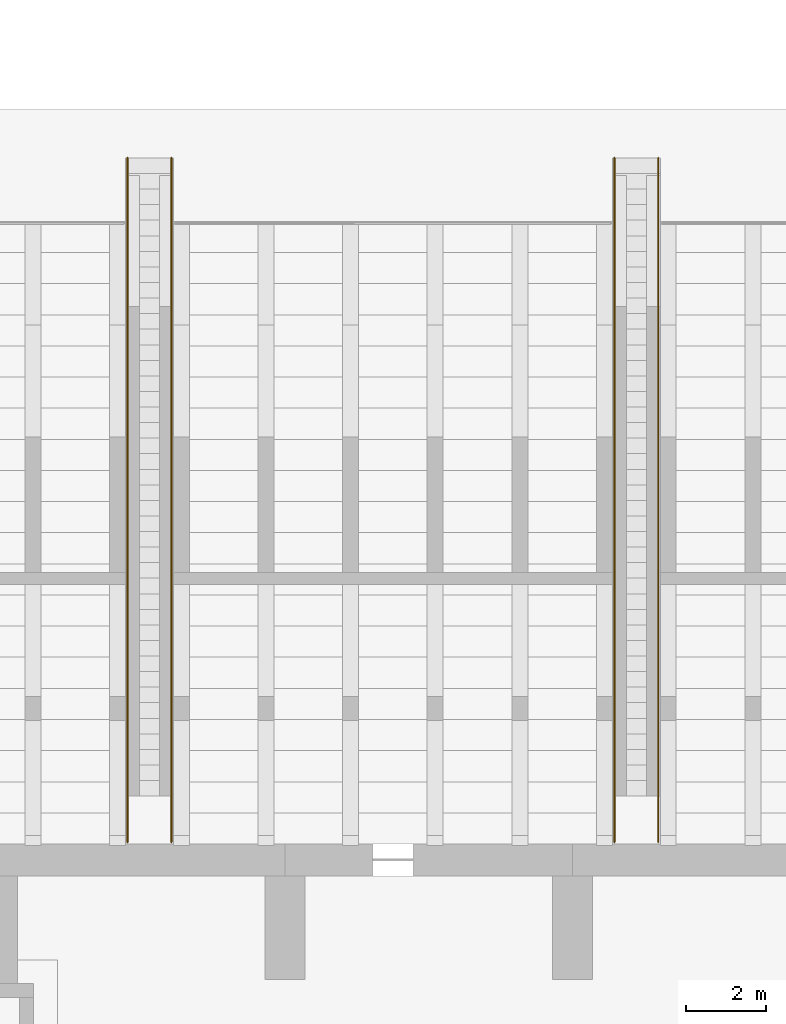
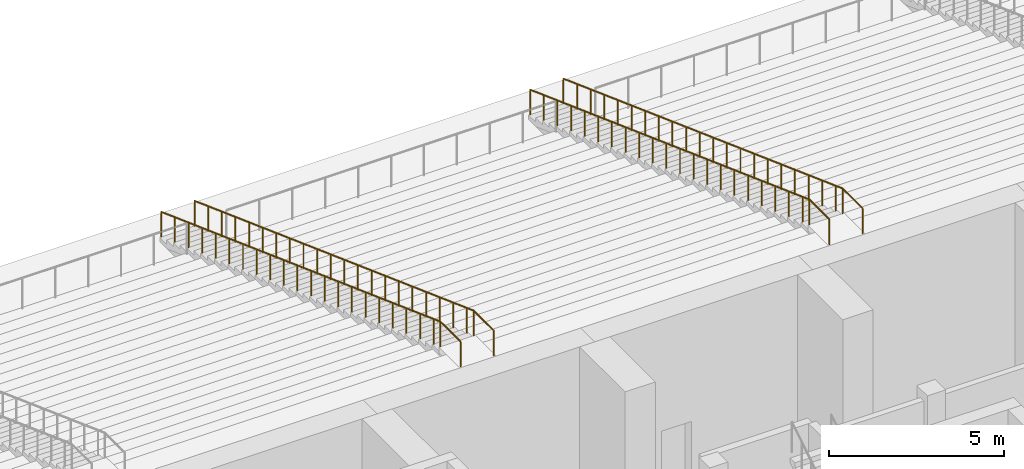
# One storey, part 61 of 70: 4 railings.
"""IFC4 building model written with IfcOpenShell, lengths in metres."""

from ifc_helpers import new_model, si_unit, direction, frame, origin, origin_2d, place, context, subcontext, project, spatial, circle, extrude, material, type_object, element, save


model = new_model("IFC4")

# Units and contexts
model_context = context("Model", 3, precision=1e-05, world=origin(), true_north=direction((0.0, 1.0)))
body_context = subcontext(model_context, "Body", "Model", "MODEL_VIEW")
ifc_project = project(units=[si_unit("LENGTHUNIT", "METRE"), si_unit("AREAUNIT", "SQUARE_METRE"), si_unit("VOLUMEUNIT", "CUBIC_METRE"), si_unit("PLANEANGLEUNIT", "RADIAN"), si_unit("MASSUNIT", "GRAM", prefix="KILO")], contexts=[model_context])

# Site, building, storey
site_placement = place(None, origin())
site = spatial("IfcSite", under=ifc_project, at=site_placement, CompositionType="ELEMENT")
building_placement = place(site_placement, origin())
building = spatial("IfcBuilding", under=site, at=building_placement, Name="Vermilion Court Aquatics Centre", CompositionType="ELEMENT")
storey_placement = place(building_placement, origin())
storey = spatial("IfcBuildingStorey", under=building, at=storey_placement, Name="L00", CompositionType="ELEMENT", Elevation=0.0)

# Railings
ifc_material = material(Name="Steel ASTM A992 Grade 50", Category="steel")
railing_type = type_object("IfcRailingType", Name="Tribune aisle stair handrail 900", PredefinedType="HANDRAIL", material=ifc_material)
railing_1_placement = place(storey_placement, frame((60.85009765625, 31.989990234375, 0.142822265625)))
element("IfcRailing", 1, at=railing_1_placement, inside=storey, type_object=railing_type, Name="Aisle stair handrail 2W", PredefinedType="HANDRAIL", context=body_context, shape_type="SweptSolid", body=[
    extrude(circle(Radius=0.02392578125, at=origin_2d()), frame((0.0, 0.0, 0.8759765625), z_axis=(0.0, -0.939018724958, 0.343866011956), x_axis=(1.0, 0.0, 0.0)), (0.0, 0.0, 1.0), 0.83056640625),
    extrude(circle(Radius=0.02392578125, at=origin_2d()), frame((0.0, -0.780029296875, 1.16162109375), z_axis=(0.0, -0.938923798649, 0.344125123073), x_axis=(1.0, 0.0, 0.0)), (0.0, 0.0, 1.0), 0.830810546875),
    extrude(circle(Radius=0.02392578125, at=origin_2d()), frame((0.0, -1.56005859375, 1.447265625), z_axis=(0.0, -0.939018724958, 0.343866011956), x_axis=(1.0, 0.0, 0.0)), (0.0, 0.0, 1.0), 0.83056640625),
    extrude(circle(Radius=0.02392578125, at=origin_2d()), frame((0.0, -2.340087890625, 1.73291015625), z_axis=(0.0, -0.938983958399, 0.343960936546), x_axis=(1.0, 0.0, 0.0)), (0.0, 0.0, 1.0), 0.83056640625),
    extrude(circle(Radius=0.02392578125, at=origin_2d()), frame((0.0, -3.119873046875, 2.0185546875), z_axis=(0.0, -0.938923798649, 0.344125123073), x_axis=(1.0, 0.0, 0.0)), (0.0, 0.0, 1.0), 0.830810546875),
    extrude(circle(Radius=0.02392578125, at=origin_2d()), frame((0.0, -3.89990234375, 2.3046875), z_axis=(0.0, -0.939018724958, 0.343866011956), x_axis=(1.0, 0.0, 0.0)), (0.0, 0.0, 1.0), 0.83056640625),
    extrude(circle(Radius=0.02392578125, at=origin_2d()), frame((0.0, -4.679931640625, 2.59033203125), z_axis=(0.0, -0.939018724958, 0.343866011956), x_axis=(1.0, 0.0, 0.0)), (0.0, 0.0, 1.0), 0.83056640625),
    extrude(circle(Radius=0.02392578125, at=origin_2d()), frame((0.0, -5.4599609375, 2.8759765625), z_axis=(0.0, -0.939018724958, 0.343866011956), x_axis=(1.0, 0.0, 0.0)), (0.0, 0.0, 1.0), 0.83056640625),
    extrude(circle(Radius=0.02392578125, at=origin_2d()), frame((0.0, -6.239990234375, 3.16162109375), z_axis=(0.0, -0.938923798649, 0.344125123073), x_axis=(1.0, 0.0, 0.0)), (0.0, 0.0, 1.0), 0.830810546875),
    extrude(circle(Radius=0.02392578125, at=origin_2d()), frame((0.0, -7.02001953125, 3.447265625), z_axis=(0.0, -0.939018724958, 0.343866011956), x_axis=(1.0, 0.0, 0.0)), (0.0, 0.0, 1.0), 0.83056640625),
    extrude(circle(Radius=0.02392578125, at=origin_2d()), frame((0.0, -7.800048828125, 3.73291015625), z_axis=(0.0, -0.939018724958, 0.343866011956), x_axis=(1.0, 0.0, 0.0)), (0.0, 0.0, 1.0), 0.83056640625),
    extrude(circle(Radius=0.02392578125, at=origin_2d()), frame((0.0, -8.580078125, 4.0185546875), z_axis=(0.0, -0.938923798649, 0.344125123073), x_axis=(1.0, 0.0, 0.0)), (0.0, 0.0, 1.0), 0.830810546875),
    extrude(circle(Radius=0.02392578125, at=origin_2d()), frame((0.0, -9.360107421875, 4.3046875), z_axis=(0.0, -0.938983958399, 0.343960936546), x_axis=(1.0, 0.0, 0.0)), (0.0, 0.0, 1.0), 0.83056640625),
    extrude(circle(Radius=0.02392578125, at=origin_2d()), frame((0.0, -10.139892578125, 4.59033203125), z_axis=(0.0, -0.939018724958, 0.343866011956), x_axis=(1.0, 0.0, 0.0)), (0.0, 0.0, 1.0), 0.83056640625),
    extrude(circle(Radius=0.02392578125, at=origin_2d()), frame((0.0, -10.919921875, 4.8759765625), z_axis=(0.0, -0.939018724958, 0.343866011956), x_axis=(1.0, 0.0, 0.0)), (0.0, 0.0, 1.0), 0.83056640625),
    extrude(circle(Radius=0.02392578125, at=origin_2d()), frame((0.0, -11.699951171875, 5.16162109375), z_axis=(0.0, -0.938923798649, 0.344125123073), x_axis=(1.0, 0.0, 0.0)), (0.0, 0.0, 1.0), 0.830810546875),
    extrude(circle(Radius=0.02392578125, at=origin_2d()), frame((0.0, -12.47998046875, 5.447265625), z_axis=(0.0, -0.939018724958, 0.343866011956), x_axis=(1.0, 0.0, 0.0)), (0.0, 0.0, 1.0), 0.83056640625),
    extrude(circle(Radius=0.02392578125, at=origin_2d()), frame((0.0, -13.260009765625, 5.73291015625), z_axis=(0.0, -0.939018724958, 0.343866011956), x_axis=(1.0, 0.0, 0.0)), (0.0, 0.0, 1.0), 0.83056640625),
    extrude(circle(Radius=0.02392578125, at=origin_2d()), frame((0.0, -14.0400390625, 6.0185546875), z_axis=(0.0, -0.938923798649, 0.344125123073), x_axis=(1.0, 0.0, 0.0)), (0.0, 0.0, 1.0), 0.830810546875),
    extrude(circle(Radius=0.02392578125, at=origin_2d()), frame((0.0, -14.820068359375, 6.3046875), z_axis=(0.0, -0.939018724958, 0.343866011956), x_axis=(1.0, 0.0, 0.0)), (0.0, 0.0, 1.0), 0.83056640625),
    extrude(circle(Radius=0.02392578125, at=origin_2d()), frame((0.0, -15.60009765625, 6.59033203125), z_axis=(0.0, -0.938983958399, 0.343960936546), x_axis=(1.0, 0.0, 0.0)), (0.0, 0.0, 1.0), 0.415283203125),
    extrude(circle(Radius=0.02392578125, at=origin_2d()), frame((0.0, -15.989990234375, 6.73291015625), z_axis=(0.0, -1.0, 0.0), x_axis=(1.0, 0.0, 0.0)), (0.0, 0.0, 1.0), 1.14990234375),
    extrude(circle(Radius=0.02099609375, at=origin_2d()), origin(), (0.0, 0.0, 1.0), 0.851806640625),
    extrude(circle(Radius=0.02099609375, at=origin_2d()), frame((0.0, -0.780029296875, 0.28564453125)), (0.0, 0.0, 1.0), 0.851806640625),
    extrude(circle(Radius=0.02099609375, at=origin_2d()), frame((0.0, -1.56005859375, 0.571533203125)), (0.0, 0.0, 1.0), 0.851806640625),
    extrude(circle(Radius=0.02099609375, at=origin_2d()), frame((0.0, -2.340087890625, 0.857177734375)), (0.0, 0.0, 1.0), 0.851806640625),
    extrude(circle(Radius=0.02099609375, at=origin_2d()), frame((0.0, -3.119873046875, 1.142822265625)), (0.0, 0.0, 1.0), 0.851806640625),
    extrude(circle(Radius=0.02099609375, at=origin_2d()), frame((0.0, -3.89990234375, 1.4287109375)), (0.0, 0.0, 1.0), 0.851806640625),
    extrude(circle(Radius=0.02099609375, at=origin_2d()), frame((0.0, -4.679931640625, 1.71435546875)), (0.0, 0.0, 1.0), 0.851806640625),
    extrude(circle(Radius=0.02099609375, at=origin_2d()), frame((0.0, -5.4599609375, 2.0)), (0.0, 0.0, 1.0), 0.851806640625),
    extrude(circle(Radius=0.02099609375, at=origin_2d()), frame((0.0, -6.239990234375, 2.28564453125)), (0.0, 0.0, 1.0), 0.851806640625),
    extrude(circle(Radius=0.02099609375, at=origin_2d()), frame((0.0, -7.02001953125, 2.571533203125)), (0.0, 0.0, 1.0), 0.851806640625),
    extrude(circle(Radius=0.02099609375, at=origin_2d()), frame((0.0, -7.800048828125, 2.857177734375)), (0.0, 0.0, 1.0), 0.851806640625),
    extrude(circle(Radius=0.02099609375, at=origin_2d()), frame((0.0, -8.580078125, 3.142822265625)), (0.0, 0.0, 1.0), 0.851806640625),
    extrude(circle(Radius=0.02099609375, at=origin_2d()), frame((0.0, -9.360107421875, 3.4287109375)), (0.0, 0.0, 1.0), 0.851806640625),
    extrude(circle(Radius=0.02099609375, at=origin_2d()), frame((0.0, -10.139892578125, 3.71435546875)), (0.0, 0.0, 1.0), 0.851806640625),
    extrude(circle(Radius=0.02099609375, at=origin_2d()), frame((0.0, -10.919921875, 4.0)), (0.0, 0.0, 1.0), 0.851806640625),
    extrude(circle(Radius=0.02099609375, at=origin_2d()), frame((0.0, -11.699951171875, 4.28564453125)), (0.0, 0.0, 1.0), 0.851806640625),
    extrude(circle(Radius=0.02099609375, at=origin_2d()), frame((0.0, -12.47998046875, 4.571533203125)), (0.0, 0.0, 1.0), 0.851806640625),
    extrude(circle(Radius=0.02099609375, at=origin_2d()), frame((0.0, -13.260009765625, 4.857177734375)), (0.0, 0.0, 1.0), 0.851806640625),
    extrude(circle(Radius=0.02099609375, at=origin_2d()), frame((0.0, -14.0400390625, 5.142822265625)), (0.0, 0.0, 1.0), 0.851806640625),
    extrude(circle(Radius=0.02099609375, at=origin_2d()), frame((0.0, -14.820068359375, 5.4287109375)), (0.0, 0.0, 1.0), 0.851806640625),
    extrude(circle(Radius=0.02099609375, at=origin_2d()), frame((0.0, -15.60009765625, 5.71435546875)), (0.0, 0.0, 1.0), 0.851806640625),
    extrude(circle(Radius=0.02099609375, at=origin_2d()), frame((0.0, -15.989990234375, 5.857177734375)), (0.0, 0.0, 1.0), 0.851806640625),
    extrude(circle(Radius=0.02099609375, at=origin_2d()), frame((0.0, -17.139892578125, 5.857177734375)), (0.0, 0.0, 1.0), 0.851806640625),
])
railing_2_placement = place(storey_placement, frame((61.949951171875, 31.989990234375, 0.142822265625)))
element("IfcRailing", 2, at=railing_2_placement, inside=storey, type_object=railing_type, Name="Aisle stair handrail 2E", PredefinedType="HANDRAIL", context=body_context, shape_type="SweptSolid", body=[
    extrude(circle(Radius=0.02392578125, at=origin_2d()), frame((0.0, 0.0, 0.8759765625), z_axis=(0.0, -0.939018724958, 0.343866011956), x_axis=(1.0, 0.0, 0.0)), (0.0, 0.0, 1.0), 0.83056640625),
    extrude(circle(Radius=0.02392578125, at=origin_2d()), frame((0.0, -0.780029296875, 1.16162109375), z_axis=(0.0, -0.938923798649, 0.344125123073), x_axis=(1.0, 0.0, 0.0)), (0.0, 0.0, 1.0), 0.830810546875),
    extrude(circle(Radius=0.02392578125, at=origin_2d()), frame((0.0, -1.56005859375, 1.447265625), z_axis=(0.0, -0.939018724958, 0.343866011956), x_axis=(1.0, 0.0, 0.0)), (0.0, 0.0, 1.0), 0.83056640625),
    extrude(circle(Radius=0.02392578125, at=origin_2d()), frame((0.0, -2.340087890625, 1.73291015625), z_axis=(0.0, -0.938983958399, 0.343960936546), x_axis=(1.0, 0.0, 0.0)), (0.0, 0.0, 1.0), 0.83056640625),
    extrude(circle(Radius=0.02392578125, at=origin_2d()), frame((0.0, -3.119873046875, 2.0185546875), z_axis=(0.0, -0.938923798649, 0.344125123073), x_axis=(1.0, 0.0, 0.0)), (0.0, 0.0, 1.0), 0.830810546875),
    extrude(circle(Radius=0.02392578125, at=origin_2d()), frame((0.0, -3.89990234375, 2.3046875), z_axis=(0.0, -0.939018724958, 0.343866011956), x_axis=(1.0, 0.0, 0.0)), (0.0, 0.0, 1.0), 0.83056640625),
    extrude(circle(Radius=0.02392578125, at=origin_2d()), frame((0.0, -4.679931640625, 2.59033203125), z_axis=(0.0, -0.939018724958, 0.343866011956), x_axis=(1.0, 0.0, 0.0)), (0.0, 0.0, 1.0), 0.83056640625),
    extrude(circle(Radius=0.02392578125, at=origin_2d()), frame((0.0, -5.4599609375, 2.8759765625), z_axis=(0.0, -0.939018724958, 0.343866011956), x_axis=(1.0, 0.0, 0.0)), (0.0, 0.0, 1.0), 0.83056640625),
    extrude(circle(Radius=0.02392578125, at=origin_2d()), frame((0.0, -6.239990234375, 3.16162109375), z_axis=(0.0, -0.938923798649, 0.344125123073), x_axis=(1.0, 0.0, 0.0)), (0.0, 0.0, 1.0), 0.830810546875),
    extrude(circle(Radius=0.02392578125, at=origin_2d()), frame((0.0, -7.02001953125, 3.447265625), z_axis=(0.0, -0.939018724958, 0.343866011956), x_axis=(1.0, 0.0, 0.0)), (0.0, 0.0, 1.0), 0.83056640625),
    extrude(circle(Radius=0.02392578125, at=origin_2d()), frame((0.0, -7.800048828125, 3.73291015625), z_axis=(0.0, -0.939018724958, 0.343866011956), x_axis=(1.0, 0.0, 0.0)), (0.0, 0.0, 1.0), 0.83056640625),
    extrude(circle(Radius=0.02392578125, at=origin_2d()), frame((0.0, -8.580078125, 4.0185546875), z_axis=(0.0, -0.938923798649, 0.344125123073), x_axis=(1.0, 0.0, 0.0)), (0.0, 0.0, 1.0), 0.830810546875),
    extrude(circle(Radius=0.02392578125, at=origin_2d()), frame((0.0, -9.360107421875, 4.3046875), z_axis=(0.0, -0.938983958399, 0.343960936546), x_axis=(1.0, 0.0, 0.0)), (0.0, 0.0, 1.0), 0.83056640625),
    extrude(circle(Radius=0.02392578125, at=origin_2d()), frame((0.0, -10.139892578125, 4.59033203125), z_axis=(0.0, -0.939018724958, 0.343866011956), x_axis=(1.0, 0.0, 0.0)), (0.0, 0.0, 1.0), 0.83056640625),
    extrude(circle(Radius=0.02392578125, at=origin_2d()), frame((0.0, -10.919921875, 4.8759765625), z_axis=(0.0, -0.939018724958, 0.343866011956), x_axis=(1.0, 0.0, 0.0)), (0.0, 0.0, 1.0), 0.83056640625),
    extrude(circle(Radius=0.02392578125, at=origin_2d()), frame((0.0, -11.699951171875, 5.16162109375), z_axis=(0.0, -0.938923798649, 0.344125123073), x_axis=(1.0, 0.0, 0.0)), (0.0, 0.0, 1.0), 0.830810546875),
    extrude(circle(Radius=0.02392578125, at=origin_2d()), frame((0.0, -12.47998046875, 5.447265625), z_axis=(0.0, -0.939018724958, 0.343866011956), x_axis=(1.0, 0.0, 0.0)), (0.0, 0.0, 1.0), 0.83056640625),
    extrude(circle(Radius=0.02392578125, at=origin_2d()), frame((0.0, -13.260009765625, 5.73291015625), z_axis=(0.0, -0.939018724958, 0.343866011956), x_axis=(1.0, 0.0, 0.0)), (0.0, 0.0, 1.0), 0.83056640625),
    extrude(circle(Radius=0.02392578125, at=origin_2d()), frame((0.0, -14.0400390625, 6.0185546875), z_axis=(0.0, -0.938923798649, 0.344125123073), x_axis=(1.0, 0.0, 0.0)), (0.0, 0.0, 1.0), 0.830810546875),
    extrude(circle(Radius=0.02392578125, at=origin_2d()), frame((0.0, -14.820068359375, 6.3046875), z_axis=(0.0, -0.939018724958, 0.343866011956), x_axis=(1.0, 0.0, 0.0)), (0.0, 0.0, 1.0), 0.83056640625),
    extrude(circle(Radius=0.02392578125, at=origin_2d()), frame((0.0, -15.60009765625, 6.59033203125), z_axis=(0.0, -0.938983958399, 0.343960936546), x_axis=(1.0, 0.0, 0.0)), (0.0, 0.0, 1.0), 0.415283203125),
    extrude(circle(Radius=0.02392578125, at=origin_2d()), frame((0.0, -15.989990234375, 6.73291015625), z_axis=(0.0, -1.0, 0.0), x_axis=(1.0, 0.0, 0.0)), (0.0, 0.0, 1.0), 1.14990234375),
    extrude(circle(Radius=0.02099609375, at=origin_2d()), origin(), (0.0, 0.0, 1.0), 0.851806640625),
    extrude(circle(Radius=0.02099609375, at=origin_2d()), frame((0.0, -0.780029296875, 0.28564453125)), (0.0, 0.0, 1.0), 0.851806640625),
    extrude(circle(Radius=0.02099609375, at=origin_2d()), frame((0.0, -1.56005859375, 0.571533203125)), (0.0, 0.0, 1.0), 0.851806640625),
    extrude(circle(Radius=0.02099609375, at=origin_2d()), frame((0.0, -2.340087890625, 0.857177734375)), (0.0, 0.0, 1.0), 0.851806640625),
    extrude(circle(Radius=0.02099609375, at=origin_2d()), frame((0.0, -3.119873046875, 1.142822265625)), (0.0, 0.0, 1.0), 0.851806640625),
    extrude(circle(Radius=0.02099609375, at=origin_2d()), frame((0.0, -3.89990234375, 1.4287109375)), (0.0, 0.0, 1.0), 0.851806640625),
    extrude(circle(Radius=0.02099609375, at=origin_2d()), frame((0.0, -4.679931640625, 1.71435546875)), (0.0, 0.0, 1.0), 0.851806640625),
    extrude(circle(Radius=0.02099609375, at=origin_2d()), frame((0.0, -5.4599609375, 2.0)), (0.0, 0.0, 1.0), 0.851806640625),
    extrude(circle(Radius=0.02099609375, at=origin_2d()), frame((0.0, -6.239990234375, 2.28564453125)), (0.0, 0.0, 1.0), 0.851806640625),
    extrude(circle(Radius=0.02099609375, at=origin_2d()), frame((0.0, -7.02001953125, 2.571533203125)), (0.0, 0.0, 1.0), 0.851806640625),
    extrude(circle(Radius=0.02099609375, at=origin_2d()), frame((0.0, -7.800048828125, 2.857177734375)), (0.0, 0.0, 1.0), 0.851806640625),
    extrude(circle(Radius=0.02099609375, at=origin_2d()), frame((0.0, -8.580078125, 3.142822265625)), (0.0, 0.0, 1.0), 0.851806640625),
    extrude(circle(Radius=0.02099609375, at=origin_2d()), frame((0.0, -9.360107421875, 3.4287109375)), (0.0, 0.0, 1.0), 0.851806640625),
    extrude(circle(Radius=0.02099609375, at=origin_2d()), frame((0.0, -10.139892578125, 3.71435546875)), (0.0, 0.0, 1.0), 0.851806640625),
    extrude(circle(Radius=0.02099609375, at=origin_2d()), frame((0.0, -10.919921875, 4.0)), (0.0, 0.0, 1.0), 0.851806640625),
    extrude(circle(Radius=0.02099609375, at=origin_2d()), frame((0.0, -11.699951171875, 4.28564453125)), (0.0, 0.0, 1.0), 0.851806640625),
    extrude(circle(Radius=0.02099609375, at=origin_2d()), frame((0.0, -12.47998046875, 4.571533203125)), (0.0, 0.0, 1.0), 0.851806640625),
    extrude(circle(Radius=0.02099609375, at=origin_2d()), frame((0.0, -13.260009765625, 4.857177734375)), (0.0, 0.0, 1.0), 0.851806640625),
    extrude(circle(Radius=0.02099609375, at=origin_2d()), frame((0.0, -14.0400390625, 5.142822265625)), (0.0, 0.0, 1.0), 0.851806640625),
    extrude(circle(Radius=0.02099609375, at=origin_2d()), frame((0.0, -14.820068359375, 5.4287109375)), (0.0, 0.0, 1.0), 0.851806640625),
    extrude(circle(Radius=0.02099609375, at=origin_2d()), frame((0.0, -15.60009765625, 5.71435546875)), (0.0, 0.0, 1.0), 0.851806640625),
    extrude(circle(Radius=0.02099609375, at=origin_2d()), frame((0.0, -15.989990234375, 5.857177734375)), (0.0, 0.0, 1.0), 0.851806640625),
    extrude(circle(Radius=0.02099609375, at=origin_2d()), frame((0.0, -17.139892578125, 5.857177734375)), (0.0, 0.0, 1.0), 0.851806640625),
])
railing_3_placement = place(storey_placement, frame((73.050048828125, 31.989990234375, 0.142822265625)))
element("IfcRailing", 3, at=railing_3_placement, inside=storey, type_object=railing_type, Name="Aisle stair handrail 3W", PredefinedType="HANDRAIL", context=body_context, shape_type="SweptSolid", body=[
    extrude(circle(Radius=0.02392578125, at=origin_2d()), frame((0.0, 0.0, 0.8759765625), z_axis=(0.0, -0.939018724958, 0.343866011956), x_axis=(1.0, 0.0, 0.0)), (0.0, 0.0, 1.0), 0.83056640625),
    extrude(circle(Radius=0.02392578125, at=origin_2d()), frame((0.0, -0.780029296875, 1.16162109375), z_axis=(0.0, -0.938923798649, 0.344125123073), x_axis=(1.0, 0.0, 0.0)), (0.0, 0.0, 1.0), 0.830810546875),
    extrude(circle(Radius=0.02392578125, at=origin_2d()), frame((0.0, -1.56005859375, 1.447265625), z_axis=(0.0, -0.939018724958, 0.343866011956), x_axis=(1.0, 0.0, 0.0)), (0.0, 0.0, 1.0), 0.83056640625),
    extrude(circle(Radius=0.02392578125, at=origin_2d()), frame((0.0, -2.340087890625, 1.73291015625), z_axis=(0.0, -0.938983958399, 0.343960936546), x_axis=(1.0, 0.0, 0.0)), (0.0, 0.0, 1.0), 0.83056640625),
    extrude(circle(Radius=0.02392578125, at=origin_2d()), frame((0.0, -3.119873046875, 2.0185546875), z_axis=(0.0, -0.938923798649, 0.344125123073), x_axis=(1.0, 0.0, 0.0)), (0.0, 0.0, 1.0), 0.830810546875),
    extrude(circle(Radius=0.02392578125, at=origin_2d()), frame((0.0, -3.89990234375, 2.3046875), z_axis=(0.0, -0.939018724958, 0.343866011956), x_axis=(1.0, 0.0, 0.0)), (0.0, 0.0, 1.0), 0.83056640625),
    extrude(circle(Radius=0.02392578125, at=origin_2d()), frame((0.0, -4.679931640625, 2.59033203125), z_axis=(0.0, -0.939018724958, 0.343866011956), x_axis=(1.0, 0.0, 0.0)), (0.0, 0.0, 1.0), 0.83056640625),
    extrude(circle(Radius=0.02392578125, at=origin_2d()), frame((0.0, -5.4599609375, 2.8759765625), z_axis=(0.0, -0.939018724958, 0.343866011956), x_axis=(1.0, 0.0, 0.0)), (0.0, 0.0, 1.0), 0.83056640625),
    extrude(circle(Radius=0.02392578125, at=origin_2d()), frame((0.0, -6.239990234375, 3.16162109375), z_axis=(0.0, -0.938923798649, 0.344125123073), x_axis=(1.0, 0.0, 0.0)), (0.0, 0.0, 1.0), 0.830810546875),
    extrude(circle(Radius=0.02392578125, at=origin_2d()), frame((0.0, -7.02001953125, 3.447265625), z_axis=(0.0, -0.939018724958, 0.343866011956), x_axis=(1.0, 0.0, 0.0)), (0.0, 0.0, 1.0), 0.83056640625),
    extrude(circle(Radius=0.02392578125, at=origin_2d()), frame((0.0, -7.800048828125, 3.73291015625), z_axis=(0.0, -0.939018724958, 0.343866011956), x_axis=(1.0, 0.0, 0.0)), (0.0, 0.0, 1.0), 0.83056640625),
    extrude(circle(Radius=0.02392578125, at=origin_2d()), frame((0.0, -8.580078125, 4.0185546875), z_axis=(0.0, -0.938923798649, 0.344125123073), x_axis=(1.0, 0.0, 0.0)), (0.0, 0.0, 1.0), 0.830810546875),
    extrude(circle(Radius=0.02392578125, at=origin_2d()), frame((0.0, -9.360107421875, 4.3046875), z_axis=(0.0, -0.938983958399, 0.343960936546), x_axis=(1.0, 0.0, 0.0)), (0.0, 0.0, 1.0), 0.83056640625),
    extrude(circle(Radius=0.02392578125, at=origin_2d()), frame((0.0, -10.139892578125, 4.59033203125), z_axis=(0.0, -0.939018724958, 0.343866011956), x_axis=(1.0, 0.0, 0.0)), (0.0, 0.0, 1.0), 0.83056640625),
    extrude(circle(Radius=0.02392578125, at=origin_2d()), frame((0.0, -10.919921875, 4.8759765625), z_axis=(0.0, -0.939018724958, 0.343866011956), x_axis=(1.0, 0.0, 0.0)), (0.0, 0.0, 1.0), 0.83056640625),
    extrude(circle(Radius=0.02392578125, at=origin_2d()), frame((0.0, -11.699951171875, 5.16162109375), z_axis=(0.0, -0.938923798649, 0.344125123073), x_axis=(1.0, 0.0, 0.0)), (0.0, 0.0, 1.0), 0.830810546875),
    extrude(circle(Radius=0.02392578125, at=origin_2d()), frame((0.0, -12.47998046875, 5.447265625), z_axis=(0.0, -0.939018724958, 0.343866011956), x_axis=(1.0, 0.0, 0.0)), (0.0, 0.0, 1.0), 0.83056640625),
    extrude(circle(Radius=0.02392578125, at=origin_2d()), frame((0.0, -13.260009765625, 5.73291015625), z_axis=(0.0, -0.939018724958, 0.343866011956), x_axis=(1.0, 0.0, 0.0)), (0.0, 0.0, 1.0), 0.83056640625),
    extrude(circle(Radius=0.02392578125, at=origin_2d()), frame((0.0, -14.0400390625, 6.0185546875), z_axis=(0.0, -0.938923798649, 0.344125123073), x_axis=(1.0, 0.0, 0.0)), (0.0, 0.0, 1.0), 0.830810546875),
    extrude(circle(Radius=0.02392578125, at=origin_2d()), frame((0.0, -14.820068359375, 6.3046875), z_axis=(0.0, -0.939018724958, 0.343866011956), x_axis=(1.0, 0.0, 0.0)), (0.0, 0.0, 1.0), 0.83056640625),
    extrude(circle(Radius=0.02392578125, at=origin_2d()), frame((0.0, -15.60009765625, 6.59033203125), z_axis=(0.0, -0.938983958399, 0.343960936546), x_axis=(1.0, 0.0, 0.0)), (0.0, 0.0, 1.0), 0.415283203125),
    extrude(circle(Radius=0.02392578125, at=origin_2d()), frame((0.0, -15.989990234375, 6.73291015625), z_axis=(0.0, -1.0, 0.0), x_axis=(1.0, 0.0, 0.0)), (0.0, 0.0, 1.0), 1.14990234375),
    extrude(circle(Radius=0.02099609375, at=origin_2d()), origin(), (0.0, 0.0, 1.0), 0.851806640625),
    extrude(circle(Radius=0.02099609375, at=origin_2d()), frame((0.0, -0.780029296875, 0.28564453125)), (0.0, 0.0, 1.0), 0.851806640625),
    extrude(circle(Radius=0.02099609375, at=origin_2d()), frame((0.0, -1.56005859375, 0.571533203125)), (0.0, 0.0, 1.0), 0.851806640625),
    extrude(circle(Radius=0.02099609375, at=origin_2d()), frame((0.0, -2.340087890625, 0.857177734375)), (0.0, 0.0, 1.0), 0.851806640625),
    extrude(circle(Radius=0.02099609375, at=origin_2d()), frame((0.0, -3.119873046875, 1.142822265625)), (0.0, 0.0, 1.0), 0.851806640625),
    extrude(circle(Radius=0.02099609375, at=origin_2d()), frame((0.0, -3.89990234375, 1.4287109375)), (0.0, 0.0, 1.0), 0.851806640625),
    extrude(circle(Radius=0.02099609375, at=origin_2d()), frame((0.0, -4.679931640625, 1.71435546875)), (0.0, 0.0, 1.0), 0.851806640625),
    extrude(circle(Radius=0.02099609375, at=origin_2d()), frame((0.0, -5.4599609375, 2.0)), (0.0, 0.0, 1.0), 0.851806640625),
    extrude(circle(Radius=0.02099609375, at=origin_2d()), frame((0.0, -6.239990234375, 2.28564453125)), (0.0, 0.0, 1.0), 0.851806640625),
    extrude(circle(Radius=0.02099609375, at=origin_2d()), frame((0.0, -7.02001953125, 2.571533203125)), (0.0, 0.0, 1.0), 0.851806640625),
    extrude(circle(Radius=0.02099609375, at=origin_2d()), frame((0.0, -7.800048828125, 2.857177734375)), (0.0, 0.0, 1.0), 0.851806640625),
    extrude(circle(Radius=0.02099609375, at=origin_2d()), frame((0.0, -8.580078125, 3.142822265625)), (0.0, 0.0, 1.0), 0.851806640625),
    extrude(circle(Radius=0.02099609375, at=origin_2d()), frame((0.0, -9.360107421875, 3.4287109375)), (0.0, 0.0, 1.0), 0.851806640625),
    extrude(circle(Radius=0.02099609375, at=origin_2d()), frame((0.0, -10.139892578125, 3.71435546875)), (0.0, 0.0, 1.0), 0.851806640625),
    extrude(circle(Radius=0.02099609375, at=origin_2d()), frame((0.0, -10.919921875, 4.0)), (0.0, 0.0, 1.0), 0.851806640625),
    extrude(circle(Radius=0.02099609375, at=origin_2d()), frame((0.0, -11.699951171875, 4.28564453125)), (0.0, 0.0, 1.0), 0.851806640625),
    extrude(circle(Radius=0.02099609375, at=origin_2d()), frame((0.0, -12.47998046875, 4.571533203125)), (0.0, 0.0, 1.0), 0.851806640625),
    extrude(circle(Radius=0.02099609375, at=origin_2d()), frame((0.0, -13.260009765625, 4.857177734375)), (0.0, 0.0, 1.0), 0.851806640625),
    extrude(circle(Radius=0.02099609375, at=origin_2d()), frame((0.0, -14.0400390625, 5.142822265625)), (0.0, 0.0, 1.0), 0.851806640625),
    extrude(circle(Radius=0.02099609375, at=origin_2d()), frame((0.0, -14.820068359375, 5.4287109375)), (0.0, 0.0, 1.0), 0.851806640625),
    extrude(circle(Radius=0.02099609375, at=origin_2d()), frame((0.0, -15.60009765625, 5.71435546875)), (0.0, 0.0, 1.0), 0.851806640625),
    extrude(circle(Radius=0.02099609375, at=origin_2d()), frame((0.0, -15.989990234375, 5.857177734375)), (0.0, 0.0, 1.0), 0.851806640625),
    extrude(circle(Radius=0.02099609375, at=origin_2d()), frame((0.0, -17.139892578125, 5.857177734375)), (0.0, 0.0, 1.0), 0.851806640625),
])
railing_4_placement = place(storey_placement, frame((74.14990234375, 31.989990234375, 0.142822265625)))
element("IfcRailing", 4, at=railing_4_placement, inside=storey, type_object=railing_type, Name="Aisle stair handrail 3E", PredefinedType="HANDRAIL", context=body_context, shape_type="SweptSolid", body=[
    extrude(circle(Radius=0.02392578125, at=origin_2d()), frame((0.0, 0.0, 0.8759765625), z_axis=(0.0, -0.939018724958, 0.343866011956), x_axis=(1.0, 0.0, 0.0)), (0.0, 0.0, 1.0), 0.83056640625),
    extrude(circle(Radius=0.02392578125, at=origin_2d()), frame((0.0, -0.780029296875, 1.16162109375), z_axis=(0.0, -0.938923798649, 0.344125123073), x_axis=(1.0, 0.0, 0.0)), (0.0, 0.0, 1.0), 0.830810546875),
    extrude(circle(Radius=0.02392578125, at=origin_2d()), frame((0.0, -1.56005859375, 1.447265625), z_axis=(0.0, -0.939018724958, 0.343866011956), x_axis=(1.0, 0.0, 0.0)), (0.0, 0.0, 1.0), 0.83056640625),
    extrude(circle(Radius=0.02392578125, at=origin_2d()), frame((0.0, -2.340087890625, 1.73291015625), z_axis=(0.0, -0.938983958399, 0.343960936546), x_axis=(1.0, 0.0, 0.0)), (0.0, 0.0, 1.0), 0.83056640625),
    extrude(circle(Radius=0.02392578125, at=origin_2d()), frame((0.0, -3.119873046875, 2.0185546875), z_axis=(0.0, -0.938923798649, 0.344125123073), x_axis=(1.0, 0.0, 0.0)), (0.0, 0.0, 1.0), 0.830810546875),
    extrude(circle(Radius=0.02392578125, at=origin_2d()), frame((0.0, -3.89990234375, 2.3046875), z_axis=(0.0, -0.939018724958, 0.343866011956), x_axis=(1.0, 0.0, 0.0)), (0.0, 0.0, 1.0), 0.83056640625),
    extrude(circle(Radius=0.02392578125, at=origin_2d()), frame((0.0, -4.679931640625, 2.59033203125), z_axis=(0.0, -0.939018724958, 0.343866011956), x_axis=(1.0, 0.0, 0.0)), (0.0, 0.0, 1.0), 0.83056640625),
    extrude(circle(Radius=0.02392578125, at=origin_2d()), frame((0.0, -5.4599609375, 2.8759765625), z_axis=(0.0, -0.939018724958, 0.343866011956), x_axis=(1.0, 0.0, 0.0)), (0.0, 0.0, 1.0), 0.83056640625),
    extrude(circle(Radius=0.02392578125, at=origin_2d()), frame((0.0, -6.239990234375, 3.16162109375), z_axis=(0.0, -0.938923798649, 0.344125123073), x_axis=(1.0, 0.0, 0.0)), (0.0, 0.0, 1.0), 0.830810546875),
    extrude(circle(Radius=0.02392578125, at=origin_2d()), frame((0.0, -7.02001953125, 3.447265625), z_axis=(0.0, -0.939018724958, 0.343866011956), x_axis=(1.0, 0.0, 0.0)), (0.0, 0.0, 1.0), 0.83056640625),
    extrude(circle(Radius=0.02392578125, at=origin_2d()), frame((0.0, -7.800048828125, 3.73291015625), z_axis=(0.0, -0.939018724958, 0.343866011956), x_axis=(1.0, 0.0, 0.0)), (0.0, 0.0, 1.0), 0.83056640625),
    extrude(circle(Radius=0.02392578125, at=origin_2d()), frame((0.0, -8.580078125, 4.0185546875), z_axis=(0.0, -0.938923798649, 0.344125123073), x_axis=(1.0, 0.0, 0.0)), (0.0, 0.0, 1.0), 0.830810546875),
    extrude(circle(Radius=0.02392578125, at=origin_2d()), frame((0.0, -9.360107421875, 4.3046875), z_axis=(0.0, -0.938983958399, 0.343960936546), x_axis=(1.0, 0.0, 0.0)), (0.0, 0.0, 1.0), 0.83056640625),
    extrude(circle(Radius=0.02392578125, at=origin_2d()), frame((0.0, -10.139892578125, 4.59033203125), z_axis=(0.0, -0.939018724958, 0.343866011956), x_axis=(1.0, 0.0, 0.0)), (0.0, 0.0, 1.0), 0.83056640625),
    extrude(circle(Radius=0.02392578125, at=origin_2d()), frame((0.0, -10.919921875, 4.8759765625), z_axis=(0.0, -0.939018724958, 0.343866011956), x_axis=(1.0, 0.0, 0.0)), (0.0, 0.0, 1.0), 0.83056640625),
    extrude(circle(Radius=0.02392578125, at=origin_2d()), frame((0.0, -11.699951171875, 5.16162109375), z_axis=(0.0, -0.938923798649, 0.344125123073), x_axis=(1.0, 0.0, 0.0)), (0.0, 0.0, 1.0), 0.830810546875),
    extrude(circle(Radius=0.02392578125, at=origin_2d()), frame((0.0, -12.47998046875, 5.447265625), z_axis=(0.0, -0.939018724958, 0.343866011956), x_axis=(1.0, 0.0, 0.0)), (0.0, 0.0, 1.0), 0.83056640625),
    extrude(circle(Radius=0.02392578125, at=origin_2d()), frame((0.0, -13.260009765625, 5.73291015625), z_axis=(0.0, -0.939018724958, 0.343866011956), x_axis=(1.0, 0.0, 0.0)), (0.0, 0.0, 1.0), 0.83056640625),
    extrude(circle(Radius=0.02392578125, at=origin_2d()), frame((0.0, -14.0400390625, 6.0185546875), z_axis=(0.0, -0.938923798649, 0.344125123073), x_axis=(1.0, 0.0, 0.0)), (0.0, 0.0, 1.0), 0.830810546875),
    extrude(circle(Radius=0.02392578125, at=origin_2d()), frame((0.0, -14.820068359375, 6.3046875), z_axis=(0.0, -0.939018724958, 0.343866011956), x_axis=(1.0, 0.0, 0.0)), (0.0, 0.0, 1.0), 0.83056640625),
    extrude(circle(Radius=0.02392578125, at=origin_2d()), frame((0.0, -15.60009765625, 6.59033203125), z_axis=(0.0, -0.938983958399, 0.343960936546), x_axis=(1.0, 0.0, 0.0)), (0.0, 0.0, 1.0), 0.415283203125),
    extrude(circle(Radius=0.02392578125, at=origin_2d()), frame((0.0, -15.989990234375, 6.73291015625), z_axis=(0.0, -1.0, 0.0), x_axis=(1.0, 0.0, 0.0)), (0.0, 0.0, 1.0), 1.14990234375),
    extrude(circle(Radius=0.02099609375, at=origin_2d()), origin(), (0.0, 0.0, 1.0), 0.851806640625),
    extrude(circle(Radius=0.02099609375, at=origin_2d()), frame((0.0, -0.780029296875, 0.28564453125)), (0.0, 0.0, 1.0), 0.851806640625),
    extrude(circle(Radius=0.02099609375, at=origin_2d()), frame((0.0, -1.56005859375, 0.571533203125)), (0.0, 0.0, 1.0), 0.851806640625),
    extrude(circle(Radius=0.02099609375, at=origin_2d()), frame((0.0, -2.340087890625, 0.857177734375)), (0.0, 0.0, 1.0), 0.851806640625),
    extrude(circle(Radius=0.02099609375, at=origin_2d()), frame((0.0, -3.119873046875, 1.142822265625)), (0.0, 0.0, 1.0), 0.851806640625),
    extrude(circle(Radius=0.02099609375, at=origin_2d()), frame((0.0, -3.89990234375, 1.4287109375)), (0.0, 0.0, 1.0), 0.851806640625),
    extrude(circle(Radius=0.02099609375, at=origin_2d()), frame((0.0, -4.679931640625, 1.71435546875)), (0.0, 0.0, 1.0), 0.851806640625),
    extrude(circle(Radius=0.02099609375, at=origin_2d()), frame((0.0, -5.4599609375, 2.0)), (0.0, 0.0, 1.0), 0.851806640625),
    extrude(circle(Radius=0.02099609375, at=origin_2d()), frame((0.0, -6.239990234375, 2.28564453125)), (0.0, 0.0, 1.0), 0.851806640625),
    extrude(circle(Radius=0.02099609375, at=origin_2d()), frame((0.0, -7.02001953125, 2.571533203125)), (0.0, 0.0, 1.0), 0.851806640625),
    extrude(circle(Radius=0.02099609375, at=origin_2d()), frame((0.0, -7.800048828125, 2.857177734375)), (0.0, 0.0, 1.0), 0.851806640625),
    extrude(circle(Radius=0.02099609375, at=origin_2d()), frame((0.0, -8.580078125, 3.142822265625)), (0.0, 0.0, 1.0), 0.851806640625),
    extrude(circle(Radius=0.02099609375, at=origin_2d()), frame((0.0, -9.360107421875, 3.4287109375)), (0.0, 0.0, 1.0), 0.851806640625),
    extrude(circle(Radius=0.02099609375, at=origin_2d()), frame((0.0, -10.139892578125, 3.71435546875)), (0.0, 0.0, 1.0), 0.851806640625),
    extrude(circle(Radius=0.02099609375, at=origin_2d()), frame((0.0, -10.919921875, 4.0)), (0.0, 0.0, 1.0), 0.851806640625),
    extrude(circle(Radius=0.02099609375, at=origin_2d()), frame((0.0, -11.699951171875, 4.28564453125)), (0.0, 0.0, 1.0), 0.851806640625),
    extrude(circle(Radius=0.02099609375, at=origin_2d()), frame((0.0, -12.47998046875, 4.571533203125)), (0.0, 0.0, 1.0), 0.851806640625),
    extrude(circle(Radius=0.02099609375, at=origin_2d()), frame((0.0, -13.260009765625, 4.857177734375)), (0.0, 0.0, 1.0), 0.851806640625),
    extrude(circle(Radius=0.02099609375, at=origin_2d()), frame((0.0, -14.0400390625, 5.142822265625)), (0.0, 0.0, 1.0), 0.851806640625),
    extrude(circle(Radius=0.02099609375, at=origin_2d()), frame((0.0, -14.820068359375, 5.4287109375)), (0.0, 0.0, 1.0), 0.851806640625),
    extrude(circle(Radius=0.02099609375, at=origin_2d()), frame((0.0, -15.60009765625, 5.71435546875)), (0.0, 0.0, 1.0), 0.851806640625),
    extrude(circle(Radius=0.02099609375, at=origin_2d()), frame((0.0, -15.989990234375, 5.857177734375)), (0.0, 0.0, 1.0), 0.851806640625),
    extrude(circle(Radius=0.02099609375, at=origin_2d()), frame((0.0, -17.139892578125, 5.857177734375)), (0.0, 0.0, 1.0), 0.851806640625),
])

save(model, "model.ifc")
